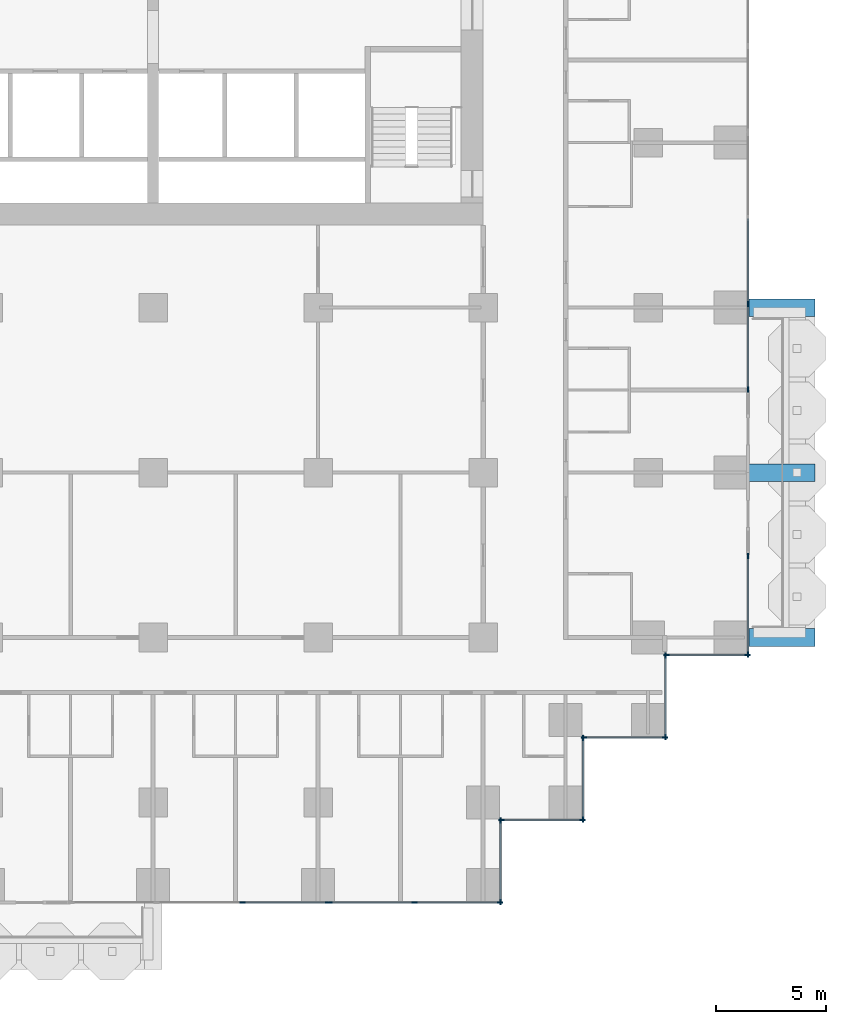
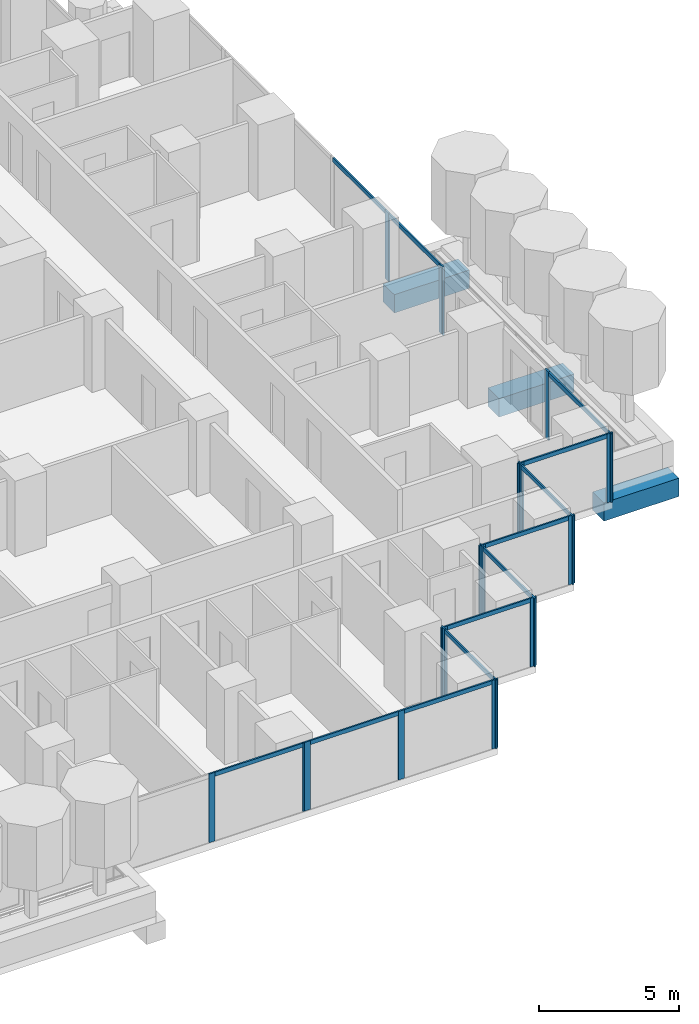
# One storey, part 4 of 19: 33 members, 3 beams, 10 elements without a shape of their own.
"""IFC4 building model written with IfcOpenShell, lengths in metres."""

from ifc_helpers import new_model, si_unit, direction, frame, origin, origin_2d, place, context, subcontext, project, spatial, rectangle, extrude, material, material_profile, profile_set, type_object, element, aggregate, save


model = new_model("IFC4")

# Units and contexts
model_context = context("Model", 3, precision=1e-05, world=origin(), true_north=direction((0.0, 1.0)))
body_context = subcontext(model_context, "Body", "Model", "MODEL_VIEW")
ifc_project = project(units=[si_unit("LENGTHUNIT", "METRE"), si_unit("AREAUNIT", "SQUARE_METRE"), si_unit("VOLUMEUNIT", "CUBIC_METRE"), si_unit("PLANEANGLEUNIT", "RADIAN"), si_unit("MASSUNIT", "GRAM", prefix="KILO")], contexts=[model_context])

# Site, building, storey
site_placement = place(None, origin())
site = spatial("IfcSite", under=ifc_project, at=site_placement, CompositionType="ELEMENT")
building_placement = place(site_placement, origin())
building = spatial("IfcBuilding", under=site, at=building_placement, Name="Pilkhan Gate Tower", CompositionType="ELEMENT")
storey_placement = place(building_placement, frame((0.0, 0.0, 69.199951171875)))
storey = spatial("IfcBuildingStorey", under=building, at=storey_placement, Name="L15", CompositionType="ELEMENT", Elevation=69.199951171875)

# Beams
ifc_material_1 = material(Name="Concrete C50/60", Category="concrete")
ifc_material_profile_1 = material_profile(ifc_material_1, rectangle(XDim=0.800048828125, YDim=0.800048828125, at=origin_2d()), Name="RC 800x800")
ifc_profile_set_1 = profile_set([ifc_material_profile_1], Name="Concrete C50/60")
beam_type = type_object("IfcBeamType", Name="Cantilever beam CB2 RC 800x800 C50/60", PredefinedType="BEAM", material=ifc_profile_set_1)
for number, where, z_axis, x_axis, name in (
    (1, (102.0, 52.5, -0.699951171875), (1.0, 0.0, 0.0), (0.0, 1.0, 0.0), "Balcony beam E.1 L15"),
    (2, (102.0, 60.0, -0.699951171875), (1.0, 0.0, 0.0), (0.0, 1.0, 0.0), "Balcony beam E.2 L15"),
    (3, (102.0, 67.5, -0.699951171875), (1.0, 0.0, 0.0), (0.0, 1.0, 0.0), "Balcony beam E.3 L15"),
):
    element("IfcBeam", number, at=place(storey_placement, frame(where, z_axis=z_axis, x_axis=x_axis)), inside=storey, type_object=beam_type, Name=name, PredefinedType="BEAM", context=body_context, shape_type="SweptSolid", body=[
        extrude(rectangle(XDim=0.800048828125, YDim=0.800048828125, at=origin_2d()), origin(), (0.0, 0.0, 1.0), 3.10009765625),
    ])

# Curtain wall, members
ifc_material_2 = material(Name="Pale anodised aluminium, clear low-iron double glazing", Category="aluminium")
curtain_wall_type = type_object("IfcCurtainWallType", Name="Hotel unitised curtain wall CW-H", PredefinedType="USERDEFINED", material=ifc_material_2)
curtain_wall_1_placement = place(storey_placement, origin())
curtain_wall_1 = element("IfcCurtainWall", 4, at=curtain_wall_1_placement, inside=storey, type_object=curtain_wall_type, Name="Hotel unitised curtain wall CW-H L15 E", ObjectType="UNITISED CURTAIN WALL", PredefinedType="USERDEFINED")
ifc_material_3 = material(Name="Pale anodised aluminium", Category="aluminium")
ifc_material_profile_2 = material_profile(ifc_material_3, rectangle(XDim=0.06494140625, YDim=0.25, at=origin_2d()), Name="Mullion 250x65")
ifc_profile_set_2 = profile_set([ifc_material_profile_2], Name="Pale anodised aluminium")
member_type_1 = type_object("IfcMemberType", Name="Mullion CW-H 250x65", PredefinedType="MULLION", material=ifc_profile_set_2)
member_1_placement = place(storey_placement, frame((102.044921875, 51.737548828125, 0.0), z_axis=(0.0, 0.0, 1.0), x_axis=(-1.0, 0.0, 0.0)))
member_1 = element("IfcMember", 5, at=member_1_placement, type_object=member_type_1, Name="CW-H mullion 1", PredefinedType="MULLION", context=body_context, shape_type="SweptSolid", body=[
    extrude(rectangle(XDim=0.06494140625, YDim=0.25, at=origin_2d()), origin(), (0.0, 0.0, 1.0), 3.0),
])
member_2_placement = place(storey_placement, frame((102.044921875, 56.217529296875, 0.0), z_axis=(0.0, 0.0, 1.0), x_axis=(-1.0, 0.0, 0.0)))
member_2 = element("IfcMember", 6, at=member_2_placement, type_object=member_type_1, Name="CW-H mullion 2", PredefinedType="MULLION", context=body_context, shape_type="SweptSolid", body=[
    extrude(rectangle(XDim=0.06494140625, YDim=0.25, at=origin_2d()), origin(), (0.0, 0.0, 1.0), 3.0),
])

curtain_wall_2_placement = place(storey_placement, origin())
curtain_wall_2 = element("IfcCurtainWall", 7, at=curtain_wall_2_placement, inside=storey, type_object=curtain_wall_type, Name="Hotel unitised curtain wall CW-H L15 E", ObjectType="UNITISED CURTAIN WALL", PredefinedType="USERDEFINED")
member_3_placement = place(storey_placement, frame((102.044921875, 63.782470703125, 0.0), z_axis=(0.0, 0.0, 1.0), x_axis=(-1.0, 0.0, 0.0)))
member_3 = element("IfcMember", 8, at=member_3_placement, type_object=member_type_1, Name="CW-H mullion 1", PredefinedType="MULLION", context=body_context, shape_type="SweptSolid", body=[
    extrude(rectangle(XDim=0.06494140625, YDim=0.25, at=origin_2d()), origin(), (0.0, 0.0, 1.0), 3.0),
])
member_4_placement = place(storey_placement, frame((102.044921875, 67.658935546875, 0.0), z_axis=(0.0, 0.0, 1.0), x_axis=(-1.0, 0.0, 0.0)))
member_4 = element("IfcMember", 9, at=member_4_placement, type_object=member_type_1, Name="CW-H mullion 2", PredefinedType="MULLION", context=body_context, shape_type="SweptSolid", body=[
    extrude(rectangle(XDim=0.06494140625, YDim=0.25, at=origin_2d()), origin(), (0.0, 0.0, 1.0), 3.0),
])

curtain_wall_3_placement = place(storey_placement, origin())
curtain_wall_3 = element("IfcCurtainWall", 10, at=curtain_wall_3_placement, inside=storey, type_object=curtain_wall_type, Name="Hotel unitised curtain wall CW-H L15 S", ObjectType="UNITISED CURTAIN WALL", PredefinedType="USERDEFINED")
member_5_placement = place(storey_placement, frame((79.068115234375, 40.455078125, 0.0), z_axis=(0.0, 0.0, 1.0), x_axis=(0.0, 1.0, 0.0)))
member_5 = element("IfcMember", 11, at=member_5_placement, type_object=member_type_1, Name="CW-H mullion 3", PredefinedType="MULLION", context=body_context, shape_type="SweptSolid", body=[
    extrude(rectangle(XDim=0.06494140625, YDim=0.25, at=origin_2d()), origin(), (0.0, 0.0, 1.0), 3.0),
])
member_6_placement = place(storey_placement, frame((82.944580078125, 40.455078125, 0.0), z_axis=(0.0, 0.0, 1.0), x_axis=(0.0, 1.0, 0.0)))
member_6 = element("IfcMember", 12, at=member_6_placement, type_object=member_type_1, Name="CW-H mullion 4", PredefinedType="MULLION", context=body_context, shape_type="SweptSolid", body=[
    extrude(rectangle(XDim=0.06494140625, YDim=0.25, at=origin_2d()), origin(), (0.0, 0.0, 1.0), 3.0),
])

curtain_wall_4_placement = place(storey_placement, origin())
curtain_wall_4 = element("IfcCurtainWall", 13, at=curtain_wall_4_placement, inside=storey, type_object=curtain_wall_type, Name="Hotel unitised curtain wall CW-H L15 S", ObjectType="UNITISED CURTAIN WALL", PredefinedType="USERDEFINED")
member_7_placement = place(storey_placement, frame((83.009521484375, 40.455078125, 0.0), z_axis=(0.0, 0.0, 1.0), x_axis=(0.0, 1.0, 0.0)))
member_7 = element("IfcMember", 14, at=member_7_placement, type_object=member_type_1, Name="CW-H mullion 1", PredefinedType="MULLION", context=body_context, shape_type="SweptSolid", body=[
    extrude(rectangle(XDim=0.06494140625, YDim=0.25, at=origin_2d()), origin(), (0.0, 0.0, 1.0), 3.0),
])
member_8_placement = place(storey_placement, frame((86.885986328125, 40.455078125, 0.0), z_axis=(0.0, 0.0, 1.0), x_axis=(0.0, 1.0, 0.0)))
member_8 = element("IfcMember", 15, at=member_8_placement, type_object=member_type_1, Name="CW-H mullion 2", PredefinedType="MULLION", context=body_context, shape_type="SweptSolid", body=[
    extrude(rectangle(XDim=0.06494140625, YDim=0.25, at=origin_2d()), origin(), (0.0, 0.0, 1.0), 3.0),
])
member_9_placement = place(storey_placement, frame((90.762451171875, 40.455078125, 0.0), z_axis=(0.0, 0.0, 1.0), x_axis=(0.0, 1.0, 0.0)))
member_9 = element("IfcMember", 16, at=member_9_placement, type_object=member_type_1, Name="CW-H mullion 3", PredefinedType="MULLION", context=body_context, shape_type="SweptSolid", body=[
    extrude(rectangle(XDim=0.06494140625, YDim=0.25, at=origin_2d()), origin(), (0.0, 0.0, 1.0), 3.0),
])

curtain_wall_5_placement = place(storey_placement, origin())
curtain_wall_5 = element("IfcCurtainWall", 17, at=curtain_wall_5_placement, inside=storey, type_object=curtain_wall_type, Name="Hotel unitised curtain wall CW-H L15 E", ObjectType="UNITISED CURTAIN WALL", PredefinedType="USERDEFINED")
member_10_placement = place(storey_placement, frame((90.794921875, 40.487548828125, 0.0), z_axis=(0.0, 0.0, 1.0), x_axis=(-1.0, 0.0, 0.0)))
member_10 = element("IfcMember", 18, at=member_10_placement, type_object=member_type_1, Name="CW-H mullion 1", PredefinedType="MULLION", context=body_context, shape_type="SweptSolid", body=[
    extrude(rectangle(XDim=0.06494140625, YDim=0.25, at=origin_2d()), origin(), (0.0, 0.0, 1.0), 3.0),
])
member_11_placement = place(storey_placement, frame((90.794921875, 44.172607421875, 0.0), z_axis=(0.0, 0.0, 1.0), x_axis=(-1.0, 0.0, 0.0)))
member_11 = element("IfcMember", 19, at=member_11_placement, type_object=member_type_1, Name="CW-H mullion 2", PredefinedType="MULLION", context=body_context, shape_type="SweptSolid", body=[
    extrude(rectangle(XDim=0.06494140625, YDim=0.25, at=origin_2d()), origin(), (0.0, 0.0, 1.0), 3.0),
])

curtain_wall_6_placement = place(storey_placement, origin())
curtain_wall_6 = element("IfcCurtainWall", 20, at=curtain_wall_6_placement, inside=storey, type_object=curtain_wall_type, Name="Hotel unitised curtain wall CW-H L15 S", ObjectType="UNITISED CURTAIN WALL", PredefinedType="USERDEFINED")
member_12_placement = place(storey_placement, frame((90.827392578125, 44.205078125, 0.0), z_axis=(0.0, 0.0, 1.0), x_axis=(0.0, 1.0, 0.0)))
member_12 = element("IfcMember", 21, at=member_12_placement, type_object=member_type_1, Name="CW-H mullion 1", PredefinedType="MULLION", context=body_context, shape_type="SweptSolid", body=[
    extrude(rectangle(XDim=0.06494140625, YDim=0.25, at=origin_2d()), origin(), (0.0, 0.0, 1.0), 3.0),
])
member_13_placement = place(storey_placement, frame((94.512451171875, 44.205078125, 0.0), z_axis=(0.0, 0.0, 1.0), x_axis=(0.0, 1.0, 0.0)))
member_13 = element("IfcMember", 22, at=member_13_placement, type_object=member_type_1, Name="CW-H mullion 2", PredefinedType="MULLION", context=body_context, shape_type="SweptSolid", body=[
    extrude(rectangle(XDim=0.06494140625, YDim=0.25, at=origin_2d()), origin(), (0.0, 0.0, 1.0), 3.0),
])

curtain_wall_7_placement = place(storey_placement, origin())
curtain_wall_7 = element("IfcCurtainWall", 23, at=curtain_wall_7_placement, inside=storey, type_object=curtain_wall_type, Name="Hotel unitised curtain wall CW-H L15 E", ObjectType="UNITISED CURTAIN WALL", PredefinedType="USERDEFINED")
member_14_placement = place(storey_placement, frame((94.544921875, 44.237548828125, 0.0), z_axis=(0.0, 0.0, 1.0), x_axis=(-1.0, 0.0, 0.0)))
member_14 = element("IfcMember", 24, at=member_14_placement, type_object=member_type_1, Name="CW-H mullion 1", PredefinedType="MULLION", context=body_context, shape_type="SweptSolid", body=[
    extrude(rectangle(XDim=0.06494140625, YDim=0.25, at=origin_2d()), origin(), (0.0, 0.0, 1.0), 3.0),
])
member_15_placement = place(storey_placement, frame((94.544921875, 47.922607421875, 0.0), z_axis=(0.0, 0.0, 1.0), x_axis=(-1.0, 0.0, 0.0)))
member_15 = element("IfcMember", 25, at=member_15_placement, type_object=member_type_1, Name="CW-H mullion 2", PredefinedType="MULLION", context=body_context, shape_type="SweptSolid", body=[
    extrude(rectangle(XDim=0.06494140625, YDim=0.25, at=origin_2d()), origin(), (0.0, 0.0, 1.0), 3.0),
])

curtain_wall_8_placement = place(storey_placement, origin())
curtain_wall_8 = element("IfcCurtainWall", 26, at=curtain_wall_8_placement, inside=storey, type_object=curtain_wall_type, Name="Hotel unitised curtain wall CW-H L15 S", ObjectType="UNITISED CURTAIN WALL", PredefinedType="USERDEFINED")
member_16_placement = place(storey_placement, frame((94.577392578125, 47.955078125, 0.0), z_axis=(0.0, 0.0, 1.0), x_axis=(0.0, 1.0, 0.0)))
member_16 = element("IfcMember", 27, at=member_16_placement, type_object=member_type_1, Name="CW-H mullion 1", PredefinedType="MULLION", context=body_context, shape_type="SweptSolid", body=[
    extrude(rectangle(XDim=0.06494140625, YDim=0.25, at=origin_2d()), origin(), (0.0, 0.0, 1.0), 3.0),
])
member_17_placement = place(storey_placement, frame((98.262451171875, 47.955078125, 0.0), z_axis=(0.0, 0.0, 1.0), x_axis=(0.0, 1.0, 0.0)))
member_17 = element("IfcMember", 28, at=member_17_placement, type_object=member_type_1, Name="CW-H mullion 2", PredefinedType="MULLION", context=body_context, shape_type="SweptSolid", body=[
    extrude(rectangle(XDim=0.06494140625, YDim=0.25, at=origin_2d()), origin(), (0.0, 0.0, 1.0), 3.0),
])

curtain_wall_9_placement = place(storey_placement, origin())
curtain_wall_9 = element("IfcCurtainWall", 29, at=curtain_wall_9_placement, inside=storey, type_object=curtain_wall_type, Name="Hotel unitised curtain wall CW-H L15 E", ObjectType="UNITISED CURTAIN WALL", PredefinedType="USERDEFINED")
member_18_placement = place(storey_placement, frame((98.294921875, 47.987548828125, 0.0), z_axis=(0.0, 0.0, 1.0), x_axis=(-1.0, 0.0, 0.0)))
member_18 = element("IfcMember", 30, at=member_18_placement, type_object=member_type_1, Name="CW-H mullion 1", PredefinedType="MULLION", context=body_context, shape_type="SweptSolid", body=[
    extrude(rectangle(XDim=0.06494140625, YDim=0.25, at=origin_2d()), origin(), (0.0, 0.0, 1.0), 3.0),
])
member_19_placement = place(storey_placement, frame((98.294921875, 51.672607421875, 0.0), z_axis=(0.0, 0.0, 1.0), x_axis=(-1.0, 0.0, 0.0)))
member_19 = element("IfcMember", 31, at=member_19_placement, type_object=member_type_1, Name="CW-H mullion 2", PredefinedType="MULLION", context=body_context, shape_type="SweptSolid", body=[
    extrude(rectangle(XDim=0.06494140625, YDim=0.25, at=origin_2d()), origin(), (0.0, 0.0, 1.0), 3.0),
])

curtain_wall_10_placement = place(storey_placement, origin())
curtain_wall_10 = element("IfcCurtainWall", 32, at=curtain_wall_10_placement, inside=storey, type_object=curtain_wall_type, Name="Hotel unitised curtain wall CW-H L15 S", ObjectType="UNITISED CURTAIN WALL", PredefinedType="USERDEFINED")
member_20_placement = place(storey_placement, frame((98.327392578125, 51.705078125, 0.0), z_axis=(0.0, 0.0, 1.0), x_axis=(0.0, 1.0, 0.0)))
member_20 = element("IfcMember", 33, at=member_20_placement, type_object=member_type_1, Name="CW-H mullion 1", PredefinedType="MULLION", context=body_context, shape_type="SweptSolid", body=[
    extrude(rectangle(XDim=0.06494140625, YDim=0.25, at=origin_2d()), origin(), (0.0, 0.0, 1.0), 3.0),
])
member_21_placement = place(storey_placement, frame((102.012451171875, 51.705078125, 0.0), z_axis=(0.0, 0.0, 1.0), x_axis=(0.0, 1.0, 0.0)))
member_21 = element("IfcMember", 34, at=member_21_placement, type_object=member_type_1, Name="CW-H mullion 2", PredefinedType="MULLION", context=body_context, shape_type="SweptSolid", body=[
    extrude(rectangle(XDim=0.06494140625, YDim=0.25, at=origin_2d()), origin(), (0.0, 0.0, 1.0), 3.0),
])

# Member
ifc_material_profile_3 = material_profile(ifc_material_3, rectangle(XDim=0.06494140625, YDim=0.179931640625, at=origin_2d()), Name="Transom 180x65")
ifc_profile_set_3 = profile_set([ifc_material_profile_3], Name="Pale anodised aluminium")
member_type_2 = type_object("IfcMemberType", Name="Transom CW-H 180x65", PredefinedType="USERDEFINED", material=ifc_profile_set_3)
member_22_placement = place(storey_placement, frame((102.044921875, 51.77001953125, 2.91015625), z_axis=(0.0, 1.0, 0.0), x_axis=(-1.0, 0.0, 0.0)))
member_22 = element("IfcMember", 35, at=member_22_placement, type_object=member_type_2, Name="CW-H transom 1", ObjectType="TRANSOM", PredefinedType="USERDEFINED", context=body_context, shape_type="SweptSolid", body=[
    extrude(rectangle(XDim=0.06494140625, YDim=0.179931640625, at=origin_2d()), origin(), (0.0, 0.0, 1.0), 4.4150390625),
])

aggregate(curtain_wall_1, [member_1, member_2, member_22])

member_23_placement = place(storey_placement, frame((102.044921875, 63.81494140625, 2.91015625), z_axis=(0.0, 1.0, 0.0), x_axis=(-1.0, 0.0, 0.0)))
member_23 = element("IfcMember", 36, at=member_23_placement, type_object=member_type_2, Name="CW-H transom 1", ObjectType="TRANSOM", PredefinedType="USERDEFINED", context=body_context, shape_type="SweptSolid", body=[
    extrude(rectangle(XDim=0.06494140625, YDim=0.179931640625, at=origin_2d()), origin(), (0.0, 0.0, 1.0), 3.8115234375),
])

member_24_placement = place(storey_placement, frame((102.044921875, 67.69140625, 2.91015625), z_axis=(0.0, 1.0, 0.0), x_axis=(-1.0, 0.0, 0.0)))
member_24 = element("IfcMember", 37, at=member_24_placement, type_object=member_type_2, Name="CW-H transom 2", ObjectType="TRANSOM", PredefinedType="USERDEFINED", context=body_context, shape_type="SweptSolid", body=[
    extrude(rectangle(XDim=0.06494140625, YDim=0.179931640625, at=origin_2d()), origin(), (0.0, 0.0, 1.0), 3.843994140625),
])

aggregate(curtain_wall_2, [member_3, member_4, member_23, member_24])

member_25_placement = place(storey_placement, frame((79.1005859375, 40.455078125, 2.91015625), z_axis=(1.0, 0.0, 0.0), x_axis=(0.0, 1.0, 0.0)))
member_25 = element("IfcMember", 38, at=member_25_placement, type_object=member_type_2, Name="CW-H transom 3", ObjectType="TRANSOM", PredefinedType="USERDEFINED", context=body_context, shape_type="SweptSolid", body=[
    extrude(rectangle(XDim=0.06494140625, YDim=0.179931640625, at=origin_2d()), origin(), (0.0, 0.0, 1.0), 3.8115234375),
])

aggregate(curtain_wall_3, [member_5, member_6, member_25])

member_26_placement = place(storey_placement, frame((83.0419921875, 40.455078125, 2.91015625), z_axis=(1.0, 0.0, 0.0), x_axis=(0.0, 1.0, 0.0)))
member_26 = element("IfcMember", 39, at=member_26_placement, type_object=member_type_2, Name="CW-H transom 1", ObjectType="TRANSOM", PredefinedType="USERDEFINED", context=body_context, shape_type="SweptSolid", body=[
    extrude(rectangle(XDim=0.06494140625, YDim=0.179931640625, at=origin_2d()), origin(), (0.0, 0.0, 1.0), 3.8115234375),
])

member_27_placement = place(storey_placement, frame((86.91845703125, 40.455078125, 2.91015625), z_axis=(1.0, 0.0, 0.0), x_axis=(0.0, 1.0, 0.0)))
member_27 = element("IfcMember", 40, at=member_27_placement, type_object=member_type_2, Name="CW-H transom 2", ObjectType="TRANSOM", PredefinedType="USERDEFINED", context=body_context, shape_type="SweptSolid", body=[
    extrude(rectangle(XDim=0.06494140625, YDim=0.179931640625, at=origin_2d()), origin(), (0.0, 0.0, 1.0), 3.8115234375),
])

aggregate(curtain_wall_4, [member_7, member_8, member_9, member_26, member_27])

member_28_placement = place(storey_placement, frame((90.794921875, 40.52001953125, 2.91015625), z_axis=(0.0, 1.0, 0.0), x_axis=(-1.0, 0.0, 0.0)))
member_28 = element("IfcMember", 41, at=member_28_placement, type_object=member_type_2, Name="CW-H transom 1", ObjectType="TRANSOM", PredefinedType="USERDEFINED", context=body_context, shape_type="SweptSolid", body=[
    extrude(rectangle(XDim=0.06494140625, YDim=0.179931640625, at=origin_2d()), origin(), (0.0, 0.0, 1.0), 3.619873046875),
])

aggregate(curtain_wall_5, [member_10, member_11, member_28])

member_29_placement = place(storey_placement, frame((90.860107421875, 44.205078125, 2.91015625), z_axis=(1.0, 0.0, 0.0), x_axis=(0.0, 1.0, 0.0)))
member_29 = element("IfcMember", 42, at=member_29_placement, type_object=member_type_2, Name="CW-H transom 1", ObjectType="TRANSOM", PredefinedType="USERDEFINED", context=body_context, shape_type="SweptSolid", body=[
    extrude(rectangle(XDim=0.06494140625, YDim=0.179931640625, at=origin_2d()), origin(), (0.0, 0.0, 1.0), 3.619873046875),
])

aggregate(curtain_wall_6, [member_12, member_13, member_29])

member_30_placement = place(storey_placement, frame((94.544921875, 44.27001953125, 2.91015625), z_axis=(0.0, 1.0, 0.0), x_axis=(-1.0, 0.0, 0.0)))
member_30 = element("IfcMember", 43, at=member_30_placement, type_object=member_type_2, Name="CW-H transom 1", ObjectType="TRANSOM", PredefinedType="USERDEFINED", context=body_context, shape_type="SweptSolid", body=[
    extrude(rectangle(XDim=0.06494140625, YDim=0.179931640625, at=origin_2d()), origin(), (0.0, 0.0, 1.0), 3.619873046875),
])

aggregate(curtain_wall_7, [member_14, member_15, member_30])

member_31_placement = place(storey_placement, frame((94.610107421875, 47.955078125, 2.91015625), z_axis=(1.0, 0.0, 0.0), x_axis=(0.0, 1.0, 0.0)))
member_31 = element("IfcMember", 44, at=member_31_placement, type_object=member_type_2, Name="CW-H transom 1", ObjectType="TRANSOM", PredefinedType="USERDEFINED", context=body_context, shape_type="SweptSolid", body=[
    extrude(rectangle(XDim=0.06494140625, YDim=0.179931640625, at=origin_2d()), origin(), (0.0, 0.0, 1.0), 3.619873046875),
])

aggregate(curtain_wall_8, [member_16, member_17, member_31])

member_32_placement = place(storey_placement, frame((98.294921875, 48.02001953125, 2.91015625), z_axis=(0.0, 1.0, 0.0), x_axis=(-1.0, 0.0, 0.0)))
member_32 = element("IfcMember", 45, at=member_32_placement, type_object=member_type_2, Name="CW-H transom 1", ObjectType="TRANSOM", PredefinedType="USERDEFINED", context=body_context, shape_type="SweptSolid", body=[
    extrude(rectangle(XDim=0.06494140625, YDim=0.179931640625, at=origin_2d()), origin(), (0.0, 0.0, 1.0), 3.619873046875),
])

aggregate(curtain_wall_9, [member_18, member_19, member_32])

member_33_placement = place(storey_placement, frame((98.360107421875, 51.705078125, 2.91015625), z_axis=(1.0, 0.0, 0.0), x_axis=(0.0, 1.0, 0.0)))
member_33 = element("IfcMember", 46, at=member_33_placement, type_object=member_type_2, Name="CW-H transom 1", ObjectType="TRANSOM", PredefinedType="USERDEFINED", context=body_context, shape_type="SweptSolid", body=[
    extrude(rectangle(XDim=0.06494140625, YDim=0.179931640625, at=origin_2d()), origin(), (0.0, 0.0, 1.0), 3.619873046875),
])

aggregate(curtain_wall_10, [member_20, member_21, member_33])

save(model, "model.ifc")
